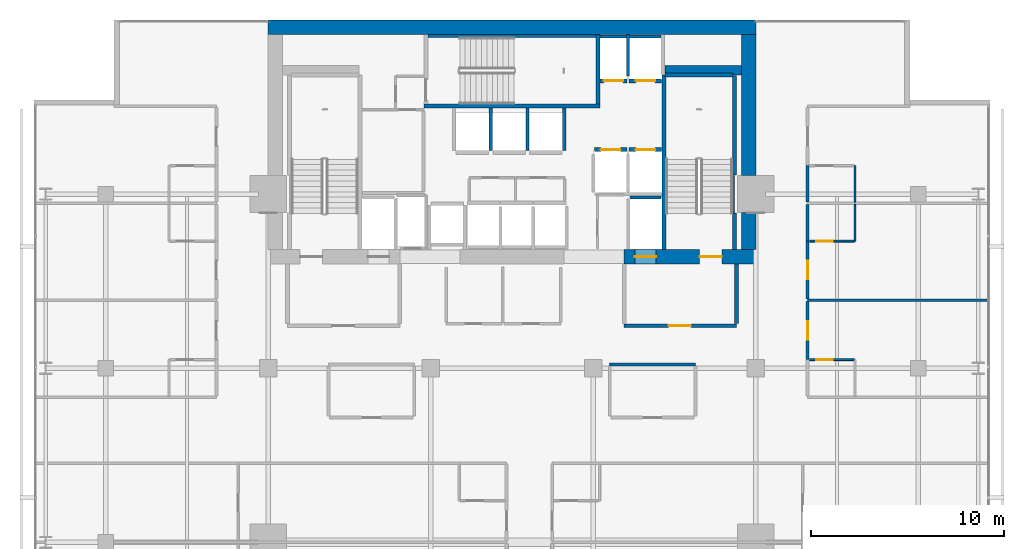
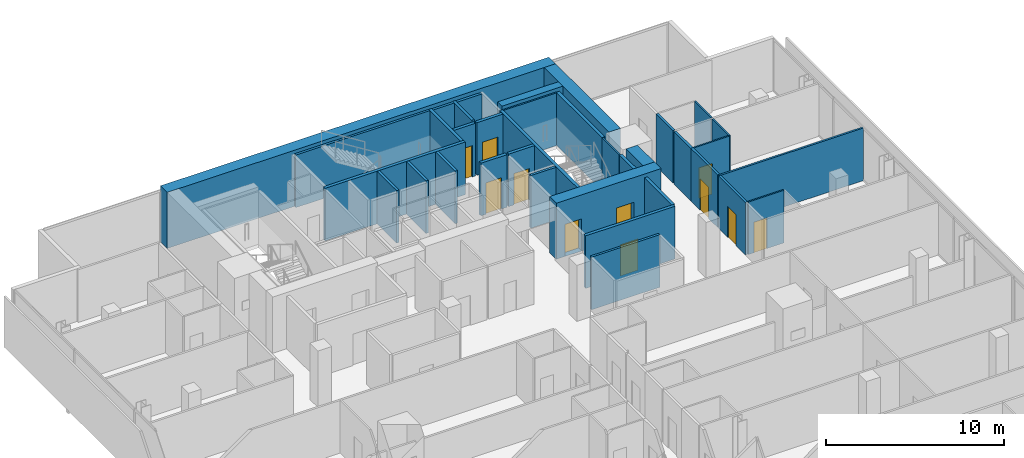
# One storey, part 31 of 34: 35 walls, 11 doors, 11 openings.
"""IFC4 building model written with IfcOpenShell, lengths in metres."""

from ifc_helpers import new_model, si_unit, direction, frame, frame_2d, origin, place, context, subcontext, project, spatial, rectangle, extrude, material, layer, layer_set, type_object, element, fill, save


model = new_model("IFC4")

# Units and contexts
model_context = context("Model", 3, precision=1e-05, world=origin(), true_north=direction((0.0, 1.0)))
body_context = subcontext(model_context, "Body", "Model", "MODEL_VIEW")
ifc_project = project(units=[si_unit("LENGTHUNIT", "METRE"), si_unit("AREAUNIT", "SQUARE_METRE"), si_unit("VOLUMEUNIT", "CUBIC_METRE"), si_unit("PLANEANGLEUNIT", "RADIAN"), si_unit("MASSUNIT", "GRAM", prefix="KILO")], contexts=[model_context])

# Site, building, storey
site_placement = place(None, origin())
site = spatial("IfcSite", under=ifc_project, at=site_placement, CompositionType="ELEMENT")
building_placement = place(site_placement, origin())
building = spatial("IfcBuilding", under=site, at=building_placement, Name="Maruvema Waterfront Hotel and Observation Tower", CompositionType="ELEMENT")
storey_placement = place(building_placement, frame((0.0, 0.0, 181.300048828125)))
storey = spatial("IfcBuildingStorey", under=building, at=storey_placement, Name="L44", CompositionType="ELEMENT", Elevation=181.300048828125)

# Wall
ifc_material_1 = material(Name="Twin-stud acoustic gypsum drywall", Category="gypsum")
ifc_layer_1 = layer(ifc_material_1, 0.14990234375, Name="Acoustic Corridor and Suite Demising Wall 150 mm")
ifc_layer_set_1 = layer_set([ifc_layer_1], Name="Twin-stud acoustic gypsum drywall")
wall_type_1 = type_object("IfcWallType", Name="Acoustic Corridor and Suite Demising Wall 150 mm", PredefinedType="PARTITIONING", material=ifc_layer_set_1)
wall_1_placement = place(storey_placement, frame((42.85009765625, 36.199951171875, 0.0), z_axis=(0.0, 0.0, 1.0), x_axis=(1.0, 0.0, 0.0)))
element("IfcWall", 1, at=wall_1_placement, inside=storey, type_object=wall_type_1, Name="L44 L44-M2 Back Wall 031", PredefinedType="PARTITIONING", context=body_context, shape_type="SweptSolid", body=[
    extrude(rectangle(XDim=4.429931640625, YDim=0.14990234375, at=frame_2d((2.21484375, 0.0))), origin(), (0.0, 0.0, 1.0), 3.60986328125),
])

# Wall, opening, door
wall_2_placement = place(storey_placement, frame((53.080078125, 36.449951171875, 0.0), z_axis=(0.0, 0.0, 1.0), x_axis=(0.0, 1.0, 0.0)))
wall_2 = element("IfcWall", 2, at=wall_2_placement, inside=storey, type_object=wall_type_1, Name="L44 Room L44-NE1 Corridor Wall 120", PredefinedType="PARTITIONING", context=body_context, shape_type="SweptSolid", body=[
    extrude(rectangle(XDim=3.00244140625, YDim=0.14990234375, at=frame_2d((1.501220703125, 0.0))), origin(), (0.0, 0.0, 1.0), 3.60986328125),
])
opening_1_placement = place(wall_2_placement, frame((1.026123046875, 0.0, 0.0)))
opening_1 = element("IfcOpeningElement", 3, at=opening_1_placement, cuts=wall_2, Name="Opening DR-095", PredefinedType="OPENING", context=body_context, shape_type="SweptSolid", body=[
    extrude(rectangle(XDim=0.949951171875, YDim=2.14990234375, at=frame_2d((0.47509765625, 1.074951171875))), frame((0.0, 0.0849609375, 0.0), z_axis=(0.0, -1.0, 0.0), x_axis=(1.0, 0.0, 0.0)), (0.0, 0.0, 1.0), 0.169921875),
])
ifc_material_2 = material(Name="Acoustic solid-core hardwood timber leaf", Category="wood")
door_type_1 = type_object("IfcDoorType", Name="Guestroom Entrance Fire Door 950x2150 mm", OperationType="NOTDEFINED", PredefinedType="DOOR", material=ifc_material_2)
door_1_placement = place(opening_1_placement, frame((0.949951171875, 0.0, 0.0), z_axis=(0.0, 0.0, 1.0), x_axis=(-1.0, 0.0, 0.0)))
door_1 = element("IfcDoor", 4, at=door_1_placement, inside=storey, type_object=door_type_1, Name="L44 Room L44-NE1 Entrance Door", OperationType="SINGLE_SWING_LEFT", OverallHeight=2.14990234375, OverallWidth=0.949951171875, PredefinedType="DOOR", context=body_context, shape_type="SweptSolid", body=[
    extrude(rectangle(XDim=0.949951171875, YDim=2.14990234375, at=frame_2d((0.47509765625, 1.074951171875))), frame((0.0, 0.02490234375, 0.0), z_axis=(0.0, -1.0, 0.0), x_axis=(1.0, 0.0, 0.0)), (0.0, 0.0, 1.0), 0.050048828125),
])
fill(opening_1, door_1)

wall_3_placement = place(storey_placement, frame((53.080078125, 39.572509765625, 0.0), z_axis=(0.0, 0.0, 1.0), x_axis=(0.0, 1.0, 0.0)))
wall_3 = element("IfcWall", 5, at=wall_3_placement, inside=storey, type_object=wall_type_1, Name="L44 Room L44-NE2 Corridor Wall 129", PredefinedType="PARTITIONING", context=body_context, shape_type="SweptSolid", body=[
    extrude(rectangle(XDim=3.00244140625, YDim=0.14990234375, at=frame_2d((1.501220703125, 0.0))), origin(), (0.0, 0.0, 1.0), 3.60986328125),
])
opening_2_placement = place(wall_3_placement, frame((1.0263671875, 0.0, 0.0)))
opening_2 = element("IfcOpeningElement", 6, at=opening_2_placement, cuts=wall_3, Name="Opening DR-095", PredefinedType="OPENING", context=body_context, shape_type="SweptSolid", body=[
    extrude(rectangle(XDim=0.949951171875, YDim=2.14990234375, at=frame_2d((0.47509765625, 1.074951171875))), frame((0.0, 0.0849609375, 0.0), z_axis=(0.0, -1.0, 0.0), x_axis=(1.0, 0.0, 0.0)), (0.0, 0.0, 1.0), 0.169921875),
])
door_2_placement = place(opening_2_placement, frame((0.949951171875, 0.0, 0.0), z_axis=(0.0, 0.0, 1.0), x_axis=(-1.0, 0.0, 0.0)))
door_2 = element("IfcDoor", 7, at=door_2_placement, inside=storey, type_object=door_type_1, Name="L44 Room L44-NE2 Entrance Door", OperationType="SINGLE_SWING_LEFT", OverallHeight=2.14990234375, OverallWidth=0.949951171875, PredefinedType="DOOR", context=body_context, shape_type="SweptSolid", body=[
    extrude(rectangle(XDim=0.949951171875, YDim=2.14990234375, at=frame_2d((0.47509765625, 1.074951171875))), frame((0.0, 0.02490234375, 0.0), z_axis=(0.0, -1.0, 0.0), x_axis=(1.0, 0.0, 0.0)), (0.0, 0.0, 1.0), 0.050048828125),
])
fill(opening_2, door_2)

# Walls
for number, where, z_axis, x_axis, name in (
    (8, (53.080078125, 42.574951171875, 0.0), (0.0, 0.0, 1.0), (0.0, 1.0, 0.0), "L44 Bath L44-NE2 Wall 130"),
    (9, (53.080078125, 44.5849609375, 0.0), (0.0, 0.0, 1.0), (0.0, 1.0, 0.0), "L44 Bath L44-NE3 Wall 139"),
):
    element("IfcWall", number, at=place(storey_placement, frame(where, z_axis=z_axis, x_axis=x_axis)), inside=storey, type_object=wall_type_1, Name=name, PredefinedType="PARTITIONING", context=body_context, shape_type="SweptSolid", body=[
        extrude(rectangle(XDim=1.89013671875, YDim=0.14990234375, at=frame_2d((0.945068359375, 0.0))), origin(), (0.0, 0.0, 1.0), 3.60986328125),
    ])
ifc_material_3 = material(Name="Precast concrete C45/55", Category="concrete")
ifc_layer_2 = layer(ifc_material_3, 0.14990234375, Name="Core Shaft Furring Wall 150 mm")
ifc_layer_set_2 = layer_set([ifc_layer_2], Name="Precast concrete C45/55")
wall_type_2 = type_object("IfcWallType", Name="Core Shaft Furring Wall 150 mm", PredefinedType="SOLIDWALL", material=ifc_layer_set_2)
wall_4_placement = place(storey_placement, frame((33.449951171875, 53.175048828125, 0.0), z_axis=(0.0, 0.0, 1.0), x_axis=(1.0, 0.0, 0.0)))
element("IfcWall", 10, at=wall_4_placement, inside=storey, type_object=wall_type_2, Name="L44 Stairwell ST-02 North Furring Wall", PredefinedType="SOLIDWALL", context=body_context, shape_type="SweptSolid", body=[
    extrude(rectangle(XDim=8.699951171875, YDim=0.14990234375, at=frame_2d((4.35009765625, 0.0))), origin(), (0.0, 0.0, 1.0), 3.60986328125),
])
ifc_material_4 = material(Name="Precast concrete C45/55", Category="concrete")
ifc_layer_3 = layer(ifc_material_4, 0.199951171875, Name="Core Shaft and Stairwell Enclosure Wall 200 mm")
ifc_layer_set_3 = layer_set([ifc_layer_3], Name="Precast concrete C45/55")
wall_type_3 = type_object("IfcWallType", Name="Core Shaft and Stairwell Enclosure Wall 200 mm", PredefinedType="SOLIDWALL", material=ifc_layer_set_3)
wall_5_placement = place(storey_placement, frame((33.25, 49.550048828125, 0.0), z_axis=(0.0, 0.0, 1.0), x_axis=(1.0, 0.0, 0.0)))
element("IfcWall", 11, at=wall_5_placement, inside=storey, type_object=wall_type_3, Name="L44 Stairwell ST-02 Shaft Wall", PredefinedType="SOLIDWALL", context=body_context, shape_type="SweptSolid", body=[
    extrude(rectangle(XDim=9.10009765625, YDim=0.199951171875, at=frame_2d((4.550048828125, 0.0))), origin(), (0.0, 0.0, 1.0), 3.60986328125),
])
wall_6_placement = place(storey_placement, frame((42.25, 49.64990234375, 0.0), z_axis=(0.0, 0.0, 1.0), x_axis=(0.0, 1.0, 0.0)))
element("IfcWall", 12, at=wall_6_placement, inside=storey, type_object=wall_type_3, Name="L44 Stairwell ST-02 Shaft Wall", PredefinedType="SOLIDWALL", context=body_context, shape_type="SweptSolid", body=[
    extrude(rectangle(XDim=3.60009765625, YDim=0.199951171875, at=frame_2d((1.800048828125, 0.0))), origin(), (0.0, 0.0, 1.0), 3.60986328125),
])
wall_7_placement = place(storey_placement, frame((45.64990234375, 42.14990234375, 0.0), z_axis=(0.0, 0.0, 1.0), x_axis=(0.0, 1.0, 0.0)))
element("IfcWall", 13, at=wall_7_placement, inside=storey, type_object=wall_type_3, Name="L44 Stairwell ST-03 West Shaft Wall", PredefinedType="SOLIDWALL", context=body_context, shape_type="SweptSolid", body=[
    extrude(rectangle(XDim=9.0, YDim=0.199951171875, at=frame_2d((4.5, 0.0))), origin(), (0.0, 0.0, 1.0), 3.60986328125),
])
wall_8_placement = place(storey_placement, frame((49.300048828125, 42.14990234375, 0.0), z_axis=(0.0, 0.0, 1.0), x_axis=(0.0, 1.0, 0.0)))
element("IfcWall", 14, at=wall_8_placement, inside=storey, type_object=wall_type_3, Name="L44 Stairwell ST-03 Shaft Lining Wall", PredefinedType="SOLIDWALL", context=body_context, shape_type="SweptSolid", body=[
    extrude(rectangle(XDim=1.8701171875, YDim=0.199951171875, at=frame_2d((0.93505859375, 0.0))), origin(), (0.0, 0.0, 1.0), 3.60986328125),
])
wall_9_placement = place(storey_placement, frame((49.300048828125, 45.97998046875, 0.0), z_axis=(0.0, 0.0, 1.0), x_axis=(0.0, 1.0, 0.0)))
element("IfcWall", 15, at=wall_9_placement, inside=storey, type_object=wall_type_3, Name="L44 Stairwell ST-03 Shaft Lining Wall", PredefinedType="SOLIDWALL", context=body_context, shape_type="SweptSolid", body=[
    extrude(rectangle(XDim=5.14013671875, YDim=0.199951171875, at=frame_2d((2.570068359375, 0.0))), origin(), (0.0, 0.0, 1.0), 3.60986328125),
])
wall_10_placement = place(storey_placement, frame((45.719970703125, 51.14990234375, 0.0), z_axis=(0.0, 0.0, 1.0), x_axis=(1.0, 0.0, 0.0)))
element("IfcWall", 16, at=wall_10_placement, inside=storey, type_object=wall_type_3, Name="L44 Stairwell ST-03 Shaft Lining Wall", PredefinedType="SOLIDWALL", context=body_context, shape_type="SweptSolid", body=[
    extrude(rectangle(XDim=3.5, YDim=0.199951171875, at=frame_2d((1.75, 0.0))), origin(), (0.0, 0.0, 1.0), 3.60986328125),
])

# Wall, opening, door
wall_11_placement = place(storey_placement, frame((42.06005859375, 47.300048828125, 0.0), z_axis=(0.0, 0.0, 1.0), x_axis=(1.0, 0.0, 0.0)))
wall_11 = element("IfcWall", 17, at=wall_11_placement, inside=storey, type_object=wall_type_3, Name="L44 Lift LF-05 Hoistway Front Wall", PredefinedType="SOLIDWALL", context=body_context, shape_type="SweptSolid", body=[
    extrude(rectangle(XDim=1.679931640625, YDim=0.199951171875, at=frame_2d((0.83984375, 0.0))), origin(), (0.0, 0.0, 1.0), 3.60986328125),
])
opening_3_placement = place(wall_11_placement, frame((0.340087890625, 0.0, 0.0)))
opening_3 = element("IfcOpeningElement", 18, at=opening_3_placement, cuts=wall_11, Name="Opening LD-01", PredefinedType="OPENING", context=body_context, shape_type="SweptSolid", body=[
    extrude(rectangle(XDim=1.0, YDim=2.14990234375, at=frame_2d((0.5, 1.074951171875))), frame((0.0, 0.10986328125, 0.0), z_axis=(0.0, -1.0, 0.0), x_axis=(1.0, 0.0, 0.0)), (0.0, 0.0, 1.0), 0.219970703125),
])
ifc_material_5 = material(Name="Brushed stainless steel Grade 316", Category="steel")
door_type_2 = type_object("IfcDoorType", Name="Passenger Lift Sliding Landing Door 1000x2150 mm", OperationType="SLIDING_TO_LEFT", PredefinedType="DOOR", material=ifc_material_5)
door_3_placement = place(opening_3_placement, origin())
door_3 = element("IfcDoor", 19, at=door_3_placement, inside=storey, type_object=door_type_2, Name="L44 Lift LF-05 Sliding Landing Door", OperationType="SLIDING_TO_LEFT", OverallHeight=2.14990234375, OverallWidth=1.0, PredefinedType="DOOR", context=body_context, shape_type="SweptSolid", body=[
    extrude(rectangle(XDim=1.0, YDim=2.14990234375, at=frame_2d((0.5, 1.074951171875))), frame((0.0, 0.02490234375, 0.0), z_axis=(0.0, -1.0, 0.0), x_axis=(1.0, 0.0, 0.0)), (0.0, 0.0, 1.0), 0.050048828125),
])
fill(opening_3, door_3)

wall_12_placement = place(storey_placement, frame((43.860107421875, 47.300048828125, 0.0), z_axis=(0.0, 0.0, 1.0), x_axis=(1.0, 0.0, 0.0)))
wall_12 = element("IfcWall", 20, at=wall_12_placement, inside=storey, type_object=wall_type_3, Name="L44 Lift LF-06 Hoistway Front Wall", PredefinedType="SOLIDWALL", context=body_context, shape_type="SweptSolid", body=[
    extrude(rectangle(XDim=1.679931640625, YDim=0.199951171875, at=frame_2d((0.83984375, 0.0))), origin(), (0.0, 0.0, 1.0), 3.60986328125),
])
opening_4_placement = place(wall_12_placement, frame((0.340087890625, 0.0, 0.0)))
opening_4 = element("IfcOpeningElement", 21, at=opening_4_placement, cuts=wall_12, Name="Opening LD-01", PredefinedType="OPENING", context=body_context, shape_type="SweptSolid", body=[
    extrude(rectangle(XDim=1.0, YDim=2.14990234375, at=frame_2d((0.5, 1.074951171875))), frame((0.0, 0.10986328125, 0.0), z_axis=(0.0, -1.0, 0.0), x_axis=(1.0, 0.0, 0.0)), (0.0, 0.0, 1.0), 0.219970703125),
])
door_4_placement = place(opening_4_placement, origin())
door_4 = element("IfcDoor", 22, at=door_4_placement, inside=storey, type_object=door_type_2, Name="L44 Lift LF-06 Sliding Landing Door", OperationType="SLIDING_TO_LEFT", OverallHeight=2.14990234375, OverallWidth=1.0, PredefinedType="DOOR", context=body_context, shape_type="SweptSolid", body=[
    extrude(rectangle(XDim=1.0, YDim=2.14990234375, at=frame_2d((0.5, 1.074951171875))), frame((0.0, 0.02490234375, 0.0), z_axis=(0.0, -1.0, 0.0), x_axis=(1.0, 0.0, 0.0)), (0.0, 0.0, 1.0), 0.050048828125),
])
fill(opening_4, door_4)

wall_13_placement = place(storey_placement, frame((42.360107421875, 50.85009765625, 0.0), z_axis=(0.0, 0.0, 1.0), x_axis=(1.0, 0.0, 0.0)))
wall_13 = element("IfcWall", 23, at=wall_13_placement, inside=storey, type_object=wall_type_3, Name="L44 Lift LF-07 Hoistway Front Wall", PredefinedType="SOLIDWALL", context=body_context, shape_type="SweptSolid", body=[
    extrude(rectangle(XDim=1.3798828125, YDim=0.199951171875, at=frame_2d((0.68994140625, 0.0))), origin(), (0.0, 0.0, 1.0), 3.60986328125),
])
opening_5_placement = place(wall_13_placement, frame((0.18994140625, 0.0, 0.0)))
opening_5 = element("IfcOpeningElement", 24, at=opening_5_placement, cuts=wall_13, Name="Opening LD-01", PredefinedType="OPENING", context=body_context, shape_type="SweptSolid", body=[
    extrude(rectangle(XDim=1.0, YDim=2.14990234375, at=frame_2d((0.5, 1.074951171875))), frame((0.0, 0.10986328125, 0.0), z_axis=(0.0, -1.0, 0.0), x_axis=(1.0, 0.0, 0.0)), (0.0, 0.0, 1.0), 0.219970703125),
])
door_5_placement = place(opening_5_placement, frame((1.0, 0.0, 0.0), z_axis=(0.0, 0.0, 1.0), x_axis=(-1.0, 0.0, 0.0)))
door_5 = element("IfcDoor", 25, at=door_5_placement, inside=storey, type_object=door_type_2, Name="L44 Lift LF-07 Sliding Landing Door", OperationType="SLIDING_TO_LEFT", OverallHeight=2.14990234375, OverallWidth=1.0, PredefinedType="DOOR", context=body_context, shape_type="SweptSolid", body=[
    extrude(rectangle(XDim=1.0, YDim=2.14990234375, at=frame_2d((0.5, 1.074951171875))), frame((0.0, 0.02490234375, 0.0), z_axis=(0.0, -1.0, 0.0), x_axis=(1.0, 0.0, 0.0)), (0.0, 0.0, 1.0), 0.050048828125),
])
fill(opening_5, door_5)

wall_14_placement = place(storey_placement, frame((43.860107421875, 50.85009765625, 0.0), z_axis=(0.0, 0.0, 1.0), x_axis=(1.0, 0.0, 0.0)))
wall_14 = element("IfcWall", 26, at=wall_14_placement, inside=storey, type_object=wall_type_3, Name="L44 Lift LF-08 Hoistway Front Wall", PredefinedType="SOLIDWALL", context=body_context, shape_type="SweptSolid", body=[
    extrude(rectangle(XDim=1.679931640625, YDim=0.199951171875, at=frame_2d((0.83984375, 0.0))), origin(), (0.0, 0.0, 1.0), 3.60986328125),
])
opening_6_placement = place(wall_14_placement, frame((0.340087890625, 0.0, 0.0)))
opening_6 = element("IfcOpeningElement", 27, at=opening_6_placement, cuts=wall_14, Name="Opening LD-01", PredefinedType="OPENING", context=body_context, shape_type="SweptSolid", body=[
    extrude(rectangle(XDim=1.0, YDim=2.14990234375, at=frame_2d((0.5, 1.074951171875))), frame((0.0, 0.10986328125, 0.0), z_axis=(0.0, -1.0, 0.0), x_axis=(1.0, 0.0, 0.0)), (0.0, 0.0, 1.0), 0.219970703125),
])
door_6_placement = place(opening_6_placement, frame((1.0, 0.0, 0.0), z_axis=(0.0, 0.0, 1.0), x_axis=(-1.0, 0.0, 0.0)))
door_6 = element("IfcDoor", 28, at=door_6_placement, inside=storey, type_object=door_type_2, Name="L44 Lift LF-08 Sliding Landing Door", OperationType="SLIDING_TO_LEFT", OverallHeight=2.14990234375, OverallWidth=1.0, PredefinedType="DOOR", context=body_context, shape_type="SweptSolid", body=[
    extrude(rectangle(XDim=1.0, YDim=2.14990234375, at=frame_2d((0.5, 1.074951171875))), frame((0.0, 0.02490234375, 0.0), z_axis=(0.0, -1.0, 0.0), x_axis=(1.0, 0.0, 0.0)), (0.0, 0.0, 1.0), 0.050048828125),
])
fill(opening_6, door_6)

# Walls
ifc_material_6 = material(Name="Concrete C70/85", Category="concrete")
ifc_layer_4 = layer(ifc_material_6, 0.5, Name="Core Shear Wall 500 mm")
ifc_layer_set_4 = layer_set([ifc_layer_4], Name="Concrete C70/85")
wall_type_4 = type_object("IfcWallType", Name="Core Shear Wall 500 mm", PredefinedType="SHEAR", material=ifc_layer_set_4)
wall_15_placement = place(storey_placement, frame((45.699951171875, 51.39990234375, 0.0), z_axis=(0.0, 0.0, 1.0), x_axis=(1.0, 0.0, 0.0)))
element("IfcWall", 29, at=wall_15_placement, inside=storey, type_object=wall_type_4, Name="L44 Internal Core Shear Wall NE 500 mm", PredefinedType="SHEAR", context=body_context, shape_type="SweptSolid", body=[
    extrude(rectangle(XDim=3.949951171875, YDim=0.5, at=frame_2d((1.97509765625, 0.0))), origin(), (0.0, 0.0, 1.0), 3.849853515625),
])
ifc_material_7 = material(Name="Concrete C70/85", Category="concrete")
ifc_layer_5 = layer(ifc_material_7, 0.75, Name="Core Shear Wall 750 mm")
ifc_layer_set_5 = layer_set([ifc_layer_5], Name="Concrete C70/85")
wall_type_5 = type_object("IfcWallType", Name="Core Shear Wall 750 mm", PredefinedType="SHEAR", material=ifc_layer_set_5)
wall_16_placement = place(storey_placement, frame((25.199951171875, 53.625, 0.0), z_axis=(0.0, 0.0, 1.0), x_axis=(1.0, 0.0, 0.0)))
element("IfcWall", 30, at=wall_16_placement, inside=storey, type_object=wall_type_5, Name="L44 North Core Shear Wall", PredefinedType="SHEAR", context=body_context, shape_type="SweptSolid", body=[
    extrude(rectangle(XDim=25.199951171875, YDim=0.75, at=frame_2d((12.60009765625, 0.0))), origin(), (0.0, 0.0, 1.0), 3.849853515625),
])

# Wall, openings, doors
wall_17_placement = place(storey_placement, frame((43.60009765625, 41.77490234375, 0.0), z_axis=(0.0, 0.0, 1.0), x_axis=(1.0, 0.0, 0.0)))
wall_17 = element("IfcWall", 31, at=wall_17_placement, inside=storey, type_object=wall_type_5, Name="L44 South-East Core Shear Wall", PredefinedType="SHEAR", context=body_context, shape_type="SweptSolid", body=[
    extrude(rectangle(XDim=6.7998046875, YDim=0.75, at=frame_2d((3.39990234375, 0.0))), origin(), (0.0, 0.0, 1.0), 3.849853515625),
])
opening_7_placement = place(wall_17_placement, frame((3.89990234375, 0.0, 0.0)))
opening_7 = element("IfcOpeningElement", 32, at=opening_7_placement, cuts=wall_17, Name="Opening SD-01", PredefinedType="OPENING", context=body_context, shape_type="SweptSolid", body=[
    extrude(rectangle(XDim=1.14990234375, YDim=2.14990234375, at=frame_2d((0.574951171875, 1.074951171875))), frame((0.0, 0.385009765625, 0.0), z_axis=(0.0, -1.0, 0.0), x_axis=(1.0, 0.0, 0.0)), (0.0, 0.0, 1.0), 0.77001953125),
])
opening_8_placement = place(wall_17_placement, frame((0.550048828125, 0.0, 0.0)))
opening_8 = element("IfcOpeningElement", 33, at=opening_8_placement, cuts=wall_17, Name="Opening LD-03", PredefinedType="OPENING", context=body_context, shape_type="SweptSolid", body=[
    extrude(rectangle(XDim=1.10009765625, YDim=2.199951171875, at=frame_2d((0.550048828125, 1.10009765625))), frame((0.0, 0.385009765625, 0.0), z_axis=(0.0, -1.0, 0.0), x_axis=(1.0, 0.0, 0.0)), (0.0, 0.0, 1.0), 0.77001953125),
])
ifc_material_8 = material(Name="Fire-rated galvanised steel leaf", Category="steel")
door_type_3 = type_object("IfcDoorType", Name="Exit Stair Fire Door 1150x2150 mm", OperationType="NOTDEFINED", PredefinedType="DOOR", material=ifc_material_8)
door_7_placement = place(opening_7_placement, origin())
door_7 = element("IfcDoor", 34, at=door_7_placement, inside=storey, type_object=door_type_3, Name="L44 Exit Stair ST-03 Fire Door", OperationType="SINGLE_SWING_RIGHT", OverallHeight=2.14990234375, OverallWidth=1.14990234375, PredefinedType="DOOR", context=body_context, shape_type="SweptSolid", body=[
    extrude(rectangle(XDim=1.14990234375, YDim=2.14990234375, at=frame_2d((0.574951171875, 1.074951171875))), frame((0.0, 0.02490234375, 0.0), z_axis=(0.0, -1.0, 0.0), x_axis=(1.0, 0.0, 0.0)), (0.0, 0.0, 1.0), 0.050048828125),
])
fill(opening_7, door_7)
ifc_material_9 = material(Name="Brushed stainless steel Grade 316", Category="steel")
door_type_4 = type_object("IfcDoorType", Name="Firefighting Lift Sliding Landing Door 1100x2200 mm", OperationType="SLIDING_TO_LEFT", PredefinedType="DOOR", material=ifc_material_9)
door_8_placement = place(opening_8_placement, frame((1.10009765625, 0.0, 0.0), z_axis=(0.0, 0.0, 1.0), x_axis=(-1.0, 0.0, 0.0)))
door_8 = element("IfcDoor", 35, at=door_8_placement, inside=storey, type_object=door_type_4, Name="L44 Firefighting Lift FL-02 Landing Door", OperationType="SLIDING_TO_LEFT", OverallHeight=2.199951171875, OverallWidth=1.10009765625, PredefinedType="DOOR", context=body_context, shape_type="SweptSolid", body=[
    extrude(rectangle(XDim=1.10009765625, YDim=2.199951171875, at=frame_2d((0.550048828125, 1.10009765625))), frame((0.0, 0.02490234375, 0.0), z_axis=(0.0, -1.0, 0.0), x_axis=(1.0, 0.0, 0.0)), (0.0, 0.0, 1.0), 0.050048828125),
])
fill(opening_8, door_8)

# Walls
wall_18_placement = place(storey_placement, frame((50.02490234375, 42.14990234375, 0.0), z_axis=(0.0, 0.0, 1.0), x_axis=(0.0, 1.0, 0.0)))
element("IfcWall", 36, at=wall_18_placement, inside=storey, type_object=wall_type_5, Name="L44 East-South Core Shear Wall", PredefinedType="SHEAR", context=body_context, shape_type="SweptSolid", body=[
    extrude(rectangle(XDim=1.900146484375, YDim=0.75, at=frame_2d((0.9501953125, 0.0))), origin(), (0.0, 0.0, 1.0), 3.849853515625),
])
wall_19_placement = place(storey_placement, frame((50.02490234375, 45.949951171875, 0.0), z_axis=(0.0, 0.0, 1.0), x_axis=(0.0, 1.0, 0.0)))
element("IfcWall", 37, at=wall_19_placement, inside=storey, type_object=wall_type_5, Name="L44 East-North Core Shear Wall", PredefinedType="SHEAR", context=body_context, shape_type="SweptSolid", body=[
    extrude(rectangle(XDim=7.300048828125, YDim=0.75, at=frame_2d((3.64990234375, 0.0))), origin(), (0.0, 0.0, 1.0), 3.849853515625),
])

# Wall, opening, door
ifc_material_10 = material(Name="Moisture-resistant cement-board drywall", Category="gypsum")
ifc_layer_6 = layer(ifc_material_10, 0.10009765625, Name="En-Suite Moisture-Resistant Partition 100 mm")
ifc_layer_set_6 = layer_set([ifc_layer_6], Name="Moisture-resistant cement-board drywall")
wall_type_6 = type_object("IfcWallType", Name="En-Suite Moisture-Resistant Partition 100 mm", PredefinedType="PARTITIONING", material=ifc_layer_set_6)
wall_20_placement = place(storey_placement, frame((53.179931640625, 36.449951171875, 0.0), z_axis=(0.0, 0.0, 1.0), x_axis=(1.0, 0.0, 0.0)))
wall_20 = element("IfcWall", 38, at=wall_20_placement, inside=storey, type_object=wall_type_6, Name="L44 En-Suite L44-NE1 N 122", PredefinedType="PARTITIONING", context=body_context, shape_type="SweptSolid", body=[
    extrude(rectangle(XDim=2.300048828125, YDim=0.10009765625, at=frame_2d((1.14990234375, 0.0))), origin(), (0.0, 0.0, 1.0), 3.60986328125),
])
opening_9_placement = place(wall_20_placement, frame((0.35009765625, 0.0, 0.0)))
opening_9 = element("IfcOpeningElement", 39, at=opening_9_placement, cuts=wall_20, Name="Opening DR-085", PredefinedType="OPENING", context=body_context, shape_type="SweptSolid", body=[
    extrude(rectangle(XDim=0.85009765625, YDim=2.10009765625, at=frame_2d((0.425048828125, 1.050048828125))), frame((0.0, 0.06005859375, 0.0), z_axis=(0.0, -1.0, 0.0), x_axis=(1.0, 0.0, 0.0)), (0.0, 0.0, 1.0), 0.1201171875),
])
ifc_material_11 = material(Name="Moisture-resistant solid timber leaf", Category="wood")
door_type_5 = type_object("IfcDoorType", Name="En-Suite Bathroom Door 850x2100 mm", OperationType="NOTDEFINED", PredefinedType="DOOR", material=ifc_material_11)
door_9_placement = place(opening_9_placement, origin())
door_9 = element("IfcDoor", 40, at=door_9_placement, inside=storey, type_object=door_type_5, Name="L44 En-Suite L44-NE1 Door", OperationType="SINGLE_SWING_RIGHT", OverallHeight=2.10009765625, OverallWidth=0.85009765625, PredefinedType="DOOR", context=body_context, shape_type="SweptSolid", body=[
    extrude(rectangle(XDim=0.85009765625, YDim=2.10009765625, at=frame_2d((0.425048828125, 1.050048828125))), frame((0.0, 0.02490234375, 0.0), z_axis=(0.0, -1.0, 0.0), x_axis=(1.0, 0.0, 0.0)), (0.0, 0.0, 1.0), 0.050048828125),
])
fill(opening_9, door_9)

# Wall
wall_21_placement = place(storey_placement, frame((55.530029296875, 42.574951171875, 0.0), z_axis=(0.0, 0.0, 1.0), x_axis=(0.0, 1.0, 0.0)))
element("IfcWall", 41, at=wall_21_placement, inside=storey, type_object=wall_type_6, Name="L44 En-Suite L44-NE2 E 131", PredefinedType="PARTITIONING", context=body_context, shape_type="SweptSolid", body=[
    extrude(rectangle(XDim=1.89013671875, YDim=0.10009765625, at=frame_2d((0.945068359375, 0.0))), origin(), (0.0, 0.0, 1.0), 3.60986328125),
])

# Wall, opening, door
wall_22_placement = place(storey_placement, frame((53.179931640625, 42.574951171875, 0.0), z_axis=(0.0, 0.0, 1.0), x_axis=(1.0, 0.0, 0.0)))
wall_22 = element("IfcWall", 42, at=wall_22_placement, inside=storey, type_object=wall_type_6, Name="L44 En-Suite L44-NE2 S 132", PredefinedType="PARTITIONING", context=body_context, shape_type="SweptSolid", body=[
    extrude(rectangle(XDim=2.300048828125, YDim=0.10009765625, at=frame_2d((1.14990234375, 0.0))), origin(), (0.0, 0.0, 1.0), 3.60986328125),
])
opening_10_placement = place(wall_22_placement, frame((0.35009765625, 0.0, 0.0)))
opening_10 = element("IfcOpeningElement", 43, at=opening_10_placement, cuts=wall_22, Name="Opening DR-085", PredefinedType="OPENING", context=body_context, shape_type="SweptSolid", body=[
    extrude(rectangle(XDim=0.85009765625, YDim=2.10009765625, at=frame_2d((0.425048828125, 1.050048828125))), frame((0.0, 0.06005859375, 0.0), z_axis=(0.0, -1.0, 0.0), x_axis=(1.0, 0.0, 0.0)), (0.0, 0.0, 1.0), 0.1201171875),
])
door_10_placement = place(opening_10_placement, frame((0.85009765625, 0.0, 0.0), z_axis=(0.0, 0.0, 1.0), x_axis=(-1.0, 0.0, 0.0)))
door_10 = element("IfcDoor", 44, at=door_10_placement, inside=storey, type_object=door_type_5, Name="L44 En-Suite L44-NE2 Door", OperationType="SINGLE_SWING_RIGHT", OverallHeight=2.10009765625, OverallWidth=0.85009765625, PredefinedType="DOOR", context=body_context, shape_type="SweptSolid", body=[
    extrude(rectangle(XDim=0.85009765625, YDim=2.10009765625, at=frame_2d((0.425048828125, 1.050048828125))), frame((0.0, 0.02490234375, 0.0), z_axis=(0.0, -1.0, 0.0), x_axis=(1.0, 0.0, 0.0)), (0.0, 0.0, 1.0), 0.050048828125),
])
fill(opening_10, door_10)

# Wall
wall_23_placement = place(storey_placement, frame((55.530029296875, 44.5849609375, 0.0), z_axis=(0.0, 0.0, 1.0), x_axis=(0.0, 1.0, 0.0)))
element("IfcWall", 45, at=wall_23_placement, inside=storey, type_object=wall_type_6, Name="L44 En-Suite L44-NE3 E 141", PredefinedType="PARTITIONING", context=body_context, shape_type="SweptSolid", body=[
    extrude(rectangle(XDim=1.89013671875, YDim=0.10009765625, at=frame_2d((0.945068359375, 0.0))), origin(), (0.0, 0.0, 1.0), 3.60986328125),
])

# Wall, opening, door
ifc_material_12 = material(Name="Autoclaved cellular concrete blockwork", Category="masonry")
ifc_layer_7 = layer(ifc_material_12, 0.199951171875, Name="Fire Compartment Masonry Wall 200 mm")
ifc_layer_set_7 = layer_set([ifc_layer_7], Name="Autoclaved cellular concrete blockwork")
wall_type_7 = type_object("IfcWallType", Name="Fire Compartment Masonry Wall 200 mm", PredefinedType="PARTITIONING", material=ifc_layer_set_7)
wall_24_placement = place(storey_placement, frame((43.60009765625, 38.199951171875, 0.0), z_axis=(0.0, 0.0, 1.0), x_axis=(1.0, 0.0, 0.0)))
wall_24 = element("IfcWall", 46, at=wall_24_placement, inside=storey, type_object=wall_type_7, Name="L44 FFL East South Wall 004", PredefinedType="PARTITIONING", context=body_context, shape_type="SweptSolid", body=[
    extrude(rectangle(XDim=5.7998046875, YDim=0.199951171875, at=frame_2d((2.89990234375, 0.0))), origin(), (0.0, 0.0, 1.0), 3.60986328125),
])
opening_11_placement = place(wall_24_placement, frame((2.300048828125, 0.0, 0.0)))
opening_11 = element("IfcOpeningElement", 47, at=opening_11_placement, cuts=wall_24, Name="Opening FD-115", PredefinedType="OPENING", context=body_context, shape_type="SweptSolid", body=[
    extrude(rectangle(XDim=1.14990234375, YDim=2.14990234375, at=frame_2d((0.574951171875, 1.074951171875))), frame((0.0, 0.10986328125, 0.0), z_axis=(0.0, -1.0, 0.0), x_axis=(1.0, 0.0, 0.0)), (0.0, 0.0, 1.0), 0.219970703125),
])
ifc_material_13 = material(Name="Fire-rated galvanised steel and vision glass", Category="steel")
door_type_6 = type_object("IfcDoorType", Name="Firefighting Lobby Fire Door 1150x2150 mm", OperationType="NOTDEFINED", PredefinedType="DOOR", material=ifc_material_13)
door_11_placement = place(opening_11_placement, frame((1.14990234375, 0.0, 0.0), z_axis=(0.0, 0.0, 1.0), x_axis=(-1.0, 0.0, 0.0)))
door_11 = element("IfcDoor", 48, at=door_11_placement, inside=storey, type_object=door_type_6, Name="L44 Firefighting Lobby East Door", OperationType="SINGLE_SWING_LEFT", OverallHeight=2.14990234375, OverallWidth=1.14990234375, PredefinedType="DOOR", context=body_context, shape_type="SweptSolid", body=[
    extrude(rectangle(XDim=1.14990234375, YDim=2.14990234375, at=frame_2d((0.574951171875, 1.074951171875))), frame((0.0, 0.02490234375, 0.0), z_axis=(0.0, -1.0, 0.0), x_axis=(1.0, 0.0, 0.0)), (0.0, 0.0, 1.0), 0.050048828125),
])
fill(opening_11, door_11)

# Walls
wall_25_placement = place(storey_placement, frame((49.39990234375, 38.31005859375, 0.0), z_axis=(0.0, 0.0, 1.0), x_axis=(0.0, 1.0, 0.0)))
element("IfcWall", 49, at=wall_25_placement, inside=storey, type_object=wall_type_7, Name="L44 FFL East East Wall 006", PredefinedType="PARTITIONING", context=body_context, shape_type="SweptSolid", body=[
    extrude(rectangle(XDim=3.06982421875, YDim=0.199951171875, at=frame_2d((1.534912109375, 0.0))), origin(), (0.0, 0.0, 1.0), 3.60986328125),
])
ifc_material_14 = material(Name="Acoustic gypsum plasterboard drywall", Category="gypsum")
ifc_layer_8 = layer(ifc_material_14, 0.125, Name="Guestroom Acoustic Demising Wall 125 mm")
ifc_layer_set_8 = layer_set([ifc_layer_8], Name="Acoustic gypsum plasterboard drywall")
wall_type_8 = type_object("IfcWallType", Name="Guestroom Acoustic Demising Wall 125 mm", PredefinedType="PARTITIONING", material=ifc_layer_set_8)
wall_26_placement = place(storey_placement, frame((53.080078125, 39.512451171875, 0.0), z_axis=(0.0, 0.0, 1.0), x_axis=(1.0, 0.0, 0.0)))
element("IfcWall", 50, at=wall_26_placement, inside=storey, type_object=wall_type_8, Name="L44 Z2 NE Demising 2 124", PredefinedType="PARTITIONING", context=body_context, shape_type="SweptSolid", body=[
    extrude(rectangle(XDim=9.31982421875, YDim=0.125, at=frame_2d((4.659912109375, 0.0))), origin(), (0.0, 0.0, 1.0), 3.60986328125),
])
ifc_material_15 = material(Name="Precast concrete C45/55", Category="concrete")
ifc_layer_9 = layer(ifc_material_15, 0.159912109375, Name="Lift Hoistway Divider Wall 160 mm")
ifc_layer_set_9 = layer_set([ifc_layer_9], Name="Precast concrete C45/55")
wall_type_9 = type_object("IfcWallType", Name="Lift Hoistway Divider Wall 160 mm", PredefinedType="SOLIDWALL", material=ifc_layer_set_9)
wall_27_placement = place(storey_placement, frame((43.89990234375, 44.830078125, 0.0), z_axis=(0.0, 0.0, 1.0), x_axis=(1.0, 0.0, 0.0)))
element("IfcWall", 51, at=wall_27_placement, inside=storey, type_object=wall_type_9, Name="L44 Lift FL-02 Rear Hoistway Wall", PredefinedType="SOLIDWALL", context=body_context, shape_type="SweptSolid", body=[
    extrude(rectangle(XDim=1.60009765625, YDim=0.159912109375, at=frame_2d((0.800048828125, 0.0))), origin(), (0.0, 0.0, 1.0), 3.60986328125),
])
wall_28_placement = place(storey_placement, frame((43.800048828125, 51.10009765625, 0.0), z_axis=(0.0, 0.0, 1.0), x_axis=(0.0, 1.0, 0.0)))
element("IfcWall", 52, at=wall_28_placement, inside=storey, type_object=wall_type_9, Name="L44 Hoistway Divider Wall", PredefinedType="SOLIDWALL", context=body_context, shape_type="SweptSolid", body=[
    extrude(rectangle(XDim=2.14990234375, YDim=0.159912109375, at=frame_2d((1.074951171875, 0.0))), origin(), (0.0, 0.0, 1.0), 3.60986328125),
])
wall_29_placement = place(storey_placement, frame((42.360107421875, 53.139892578125, 0.0), z_axis=(0.0, 0.0, 1.0), x_axis=(1.0, 0.0, 0.0)))
element("IfcWall", 53, at=wall_29_placement, inside=storey, type_object=wall_type_9, Name="L44 Hoistway Divider Wall", PredefinedType="SOLIDWALL", context=body_context, shape_type="SweptSolid", body=[
    extrude(rectangle(XDim=3.139892578125, YDim=0.159912109375, at=frame_2d((1.56982421875, 0.0))), origin(), (0.0, 0.0, 1.0), 3.60986328125),
])
for number, where, z_axis, x_axis, name in (
    (54, (36.699951171875, 47.25, 0.0), (0.0, 0.0, 1.0), (0.0, 1.0, 0.0), "L44 Hoistway Divider Wall"),
    (55, (38.60009765625, 47.25, 0.0), (0.0, 0.0, 1.0), (0.0, 1.0, 0.0), "L44 Hoistway Divider Wall"),
    (56, (40.5, 47.25, 0.0), (0.0, 0.0, 1.0), (0.0, 1.0, 0.0), "L44 Hoistway Divider Wall"),
):
    element("IfcWall", number, at=place(storey_placement, frame(where, z_axis=z_axis, x_axis=x_axis)), inside=storey, type_object=wall_type_9, Name=name, PredefinedType="SOLIDWALL", context=body_context, shape_type="SweptSolid", body=[
        extrude(rectangle(XDim=2.18994140625, YDim=0.159912109375, at=frame_2d((1.094970703125, 0.0))), origin(), (0.0, 0.0, 1.0), 3.60986328125),
    ])
ifc_material_16 = material(Name="Precast concrete C45/55", Category="concrete")
ifc_layer_10 = layer(ifc_material_16, 0.10009765625, Name="Stairwell Stringer Cheek Wall 100 mm")
ifc_layer_set_10 = layer_set([ifc_layer_10], Name="Precast concrete C45/55")
wall_type_10 = type_object("IfcWallType", Name="Stairwell Stringer Cheek Wall 100 mm", PredefinedType="SOLIDWALL", material=ifc_layer_set_10)
wall_30_placement = place(storey_placement, frame((49.248046875, 44.0400390625, 0.0), z_axis=(0.0, 0.0, 1.0), x_axis=(0.0, 1.0, 0.0)))
element("IfcWall", 57, at=wall_30_placement, inside=storey, type_object=wall_type_10, Name="L44 Stairwell ST-03 Mega-Column Cheek Wall", PredefinedType="SOLIDWALL", context=body_context, shape_type="SweptSolid", body=[
    extrude(rectangle(XDim=1.919921875, YDim=0.10009765625, at=frame_2d((0.9599609375, 0.0))), origin(), (0.0, 0.0, 1.0), 3.60986328125),
])

save(model, "model.ifc")
